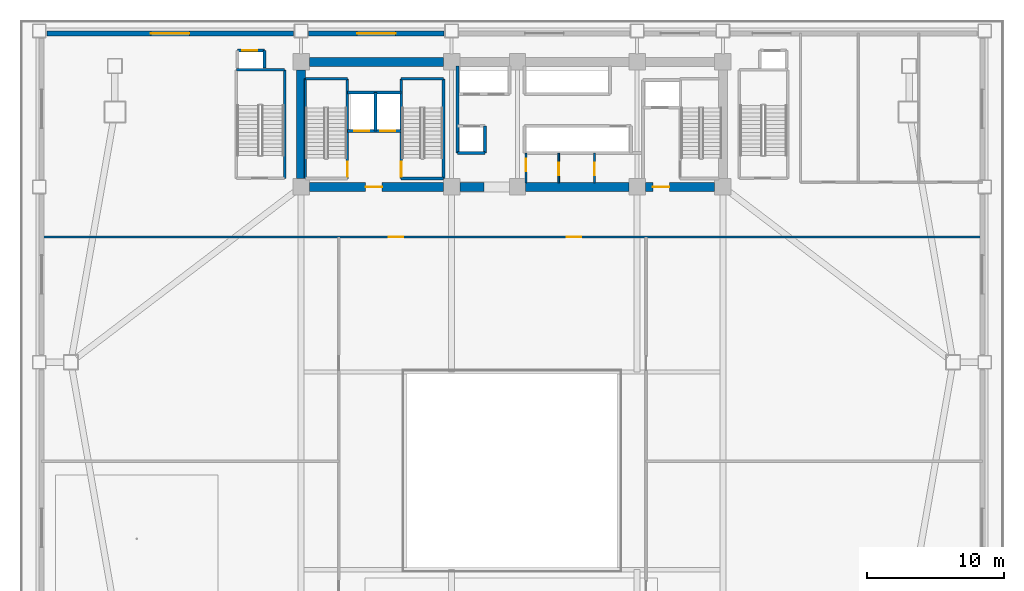
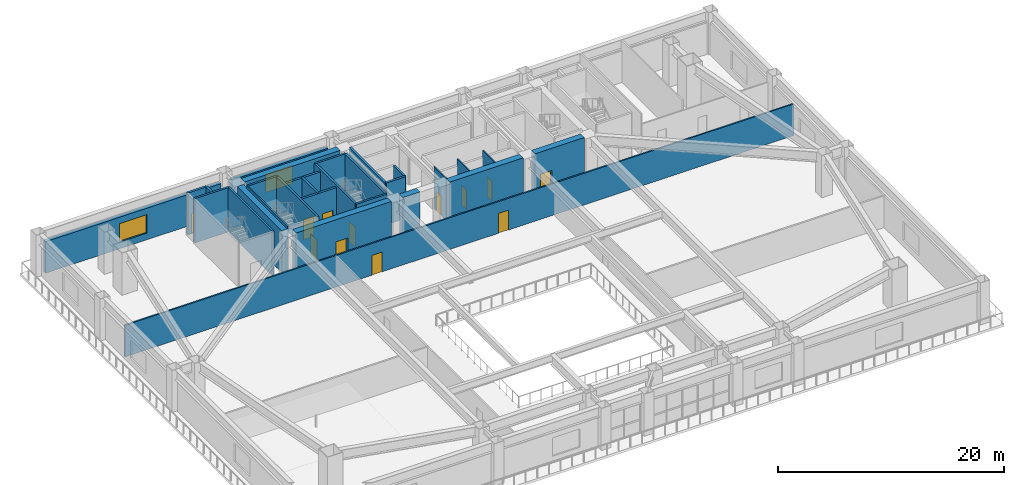
# One storey, part 7 of 14: 29 walls, 12 doors, 2 windows, 14 openings.
"""IFC4 building model written with IfcOpenShell, lengths in metres."""

from ifc_helpers import new_model, si_unit, direction, frame, frame_2d, origin, place, context, subcontext, project, spatial, rectangle, extrude, source, transform, mapped, material, layer, layer_set, type_object, element, fill, save


model = new_model("IFC4")

# Units and contexts
model_context = context("Model", 3, precision=1e-05, world=origin(), true_north=direction((0.0, 1.0)))
body_context = subcontext(model_context, "Body", "Model", "MODEL_VIEW")
ifc_project = project(units=[si_unit("LENGTHUNIT", "METRE"), si_unit("AREAUNIT", "SQUARE_METRE"), si_unit("VOLUMEUNIT", "CUBIC_METRE"), si_unit("PLANEANGLEUNIT", "RADIAN"), si_unit("MASSUNIT", "GRAM", prefix="KILO")], contexts=[model_context])

# Site, building, storey
site_placement = place(None, origin())
site = spatial("IfcSite", under=ifc_project, at=site_placement, CompositionType="ELEMENT")
building_placement = place(site_placement, origin())
building = spatial("IfcBuilding", under=site, at=building_placement, Name="Giltprow Tower", CompositionType="ELEMENT")
storey_placement = place(building_placement, frame((0.0, 0.0, 5.60009765625)))
storey = spatial("IfcBuildingStorey", under=building, at=storey_placement, Name="L02", CompositionType="ELEMENT", Elevation=5.60009765625)

# Wall, opening, window
ifc_material_1 = material(Name="Precast concrete C40", Category="concrete")
ifc_layer_1 = layer(ifc_material_1, 0.360107421875, Name="Precast concrete C40")
ifc_layer_set_1 = layer_set([ifc_layer_1], Name="Precast concrete C40")
wall_type_1 = type_object("IfcWallType", Name="EW-POD-STONE-360", PredefinedType="SOLIDWALL", material=ifc_layer_set_1)
wall_1_placement = place(storey_placement, frame((1.35009765625, 48.6201171875, 0.0), z_axis=(0.0, 0.0, 1.0), x_axis=(1.0, 0.0, 0.0)))
wall_1 = element("IfcWall", 1, at=wall_1_placement, inside=storey, type_object=wall_type_1, Name="L02 North Podium Masonry Wall 1", PredefinedType="SOLIDWALL", context=body_context, shape_type="SweptSolid", body=[
    extrude(rectangle(XDim=17.949951171875, YDim=0.360107421875, at=frame_2d((8.97509765625, 0.0))), origin(), (0.0, 0.0, 1.0), 3.419921875),
])
opening_1_placement = place(wall_1_placement, frame((7.574951171875, 0.0, 0.719970703125)))
opening_1 = element("IfcOpeningElement", 2, at=opening_1_placement, cuts=wall_1, Name="Opening WN31", PredefinedType="OPENING", context=body_context, shape_type="SweptSolid", body=[
    extrude(rectangle(XDim=2.800048828125, YDim=2.0, at=frame_2d((1.39990234375, 1.0))), frame((0.0, 0.18994140625, 0.0), z_axis=(0.0, -1.0, 0.0), x_axis=(1.0, 0.0, 0.0)), (0.0, 0.0, 1.0), 0.380126953125),
])
ifc_material_2 = material(Name="Insulated glass", Category="glass")
window_type = type_object("IfcWindowType", Name="WN-POD-2800x2000", PartitioningType="SINGLE_PANEL", PredefinedType="WINDOW", material=ifc_material_2)
shared_shape_1 = source(origin(), body_context, "Body", "SweptSolid", [
    extrude(rectangle(XDim=2.800048828125, YDim=2.0, at=frame_2d((1.39990234375, 1.0))), frame((0.0, 0.030029296875, 0.0), z_axis=(0.0, -1.0, 0.0), x_axis=(1.0, 0.0, 0.0)), (0.0, 0.0, 1.0), 0.06005859375),
])
window_1_placement = place(opening_1_placement, origin())
window_1 = element("IfcWindow", 3, at=window_1_placement, inside=storey, type_object=window_type, Name="L02 Podium North Window 1", OverallHeight=2.0, OverallWidth=2.800048828125, PartitioningType="SINGLE_PANEL", PredefinedType="WINDOW", context=body_context, shape_type="MappedRepresentation", body=[
    mapped(shared_shape_1, transform((0.0, 0.0, 0.0), x_axis=(1.0, 0.0, 0.0), y_axis=(0.0, 1.0, 0.0), z_axis=(0.0, 0.0, 1.0), scale=1.0)),
])
fill(opening_1, window_1)

wall_2_placement = place(storey_placement, frame((20.39990234375, 48.6201171875, 0.0), z_axis=(0.0, 0.0, 1.0), x_axis=(1.0, 0.0, 0.0)))
wall_2 = element("IfcWall", 4, at=wall_2_placement, inside=storey, type_object=wall_type_1, Name="L02 North Podium Masonry Wall 2", PredefinedType="SOLIDWALL", context=body_context, shape_type="SweptSolid", body=[
    extrude(rectangle(XDim=9.85009765625, YDim=0.360107421875, at=frame_2d((4.925048828125, 0.0))), origin(), (0.0, 0.0, 1.0), 3.419921875),
])
opening_2_placement = place(wall_2_placement, frame((3.52490234375, 0.0, 0.719970703125)))
opening_2 = element("IfcOpeningElement", 5, at=opening_2_placement, cuts=wall_2, Name="Opening WN31", PredefinedType="OPENING", context=body_context, shape_type="SweptSolid", body=[
    extrude(rectangle(XDim=2.800048828125, YDim=2.0, at=frame_2d((1.39990234375, 1.0))), frame((0.0, 0.18994140625, 0.0), z_axis=(0.0, -1.0, 0.0), x_axis=(1.0, 0.0, 0.0)), (0.0, 0.0, 1.0), 0.380126953125),
])
window_2_placement = place(opening_2_placement, origin())
window_2 = element("IfcWindow", 6, at=window_2_placement, inside=storey, type_object=window_type, Name="L02 Podium North Window 2", OverallHeight=2.0, OverallWidth=2.800048828125, PartitioningType="SINGLE_PANEL", PredefinedType="WINDOW", context=body_context, shape_type="MappedRepresentation", body=[
    mapped(shared_shape_1, transform((0.0, 0.0, 0.0), x_axis=(1.0, 0.0, 0.0), y_axis=(0.0, 1.0, 0.0), z_axis=(0.0, 0.0, 1.0), scale=1.0)),
])
fill(opening_2, window_2)

# Wall, openings, doors
ifc_material_3 = material(Name="Gypsum stud partition", Category="gypsum")
ifc_layer_2 = layer(ifc_material_3, 0.14990234375, Name="Gypsum stud partition")
ifc_layer_set_2 = layer_set([ifc_layer_2], Name="Gypsum stud partition")
wall_type_2 = type_object("IfcWallType", Name="IW-CORR-150", PredefinedType="PARTITIONING", material=ifc_layer_set_2)
wall_3_placement = place(storey_placement, frame((0.97998046875, 33.800048828125, 0.0), z_axis=(0.0, 0.0, 1.0), x_axis=(1.0, 0.0, 0.0)))
wall_3 = element("IfcWall", 7, at=wall_3_placement, inside=storey, type_object=wall_type_2, Name="L02 Podium North Concourse Wall", PredefinedType="PARTITIONING", context=body_context, shape_type="SweptSolid", body=[
    extrude(rectangle(XDim=68.43994140625, YDim=0.14990234375, at=frame_2d((34.219970703125, 0.0))), origin(), (0.0, 0.0, 1.0), 3.4248046875),
])
opening_3_placement = place(wall_3_placement, frame((25.27001953125, 0.0, 0.0)))
opening_3 = element("IfcOpeningElement", 8, at=opening_3_placement, cuts=wall_3, Name="Opening ID31", PredefinedType="OPENING", context=body_context, shape_type="SweptSolid", body=[
    extrude(rectangle(XDim=1.050048828125, YDim=2.14990234375, at=frame_2d((0.52490234375, 1.074951171875))), frame((0.0, 0.0849609375, 0.0), z_axis=(0.0, -1.0, 0.0), x_axis=(1.0, 0.0, 0.0)), (0.0, 0.0, 1.0), 0.169921875),
])
opening_4_placement = place(wall_3_placement, frame((38.219970703125, 0.0, 0.0)))
opening_4 = element("IfcOpeningElement", 9, at=opening_4_placement, cuts=wall_3, Name="Opening ID31", PredefinedType="OPENING", context=body_context, shape_type="SweptSolid", body=[
    extrude(rectangle(XDim=1.050048828125, YDim=2.14990234375, at=frame_2d((0.52490234375, 1.074951171875))), frame((0.0, 0.0849609375, 0.0), z_axis=(0.0, -1.0, 0.0), x_axis=(1.0, 0.0, 0.0)), (0.0, 0.0, 1.0), 0.169921875),
])
ifc_material_4 = material(Name="Engineered timber", Category="wood")
door_type_1 = type_object("IfcDoorType", Name="DR-SUITE-1050", OperationType="SINGLE_SWING_LEFT", PredefinedType="DOOR", material=ifc_material_4)
shared_shape_2 = source(origin(), body_context, "Body", "SweptSolid", [
    extrude(rectangle(XDim=1.050048828125, YDim=2.14990234375, at=frame_2d((0.52490234375, 1.074951171875))), frame((0.0, 0.02490234375, 0.0), z_axis=(0.0, -1.0, 0.0), x_axis=(1.0, 0.0, 0.0)), (0.0, 0.0, 1.0), 0.050048828125),
])
door_1_placement = place(opening_3_placement, origin())
door_1 = element("IfcDoor", 10, at=door_1_placement, inside=storey, type_object=door_type_1, Name="L02 Atrium Concourse North-West Fire Door", OperationType="SINGLE_SWING_LEFT", OverallHeight=2.14990234375, OverallWidth=1.050048828125, PredefinedType="DOOR", context=body_context, shape_type="MappedRepresentation", body=[
    mapped(shared_shape_2, transform((0.0, 0.0, 0.0), x_axis=(1.0, 0.0, 0.0), y_axis=(0.0, 1.0, 0.0), z_axis=(0.0, 0.0, 1.0), scale=1.0)),
])
fill(opening_3, door_1)
door_2_placement = place(opening_4_placement, origin())
door_2 = element("IfcDoor", 11, at=door_2_placement, inside=storey, type_object=door_type_1, Name="L02 Atrium Concourse North-East Fire Door", OperationType="SINGLE_SWING_RIGHT", OverallHeight=2.14990234375, OverallWidth=1.050048828125, PredefinedType="DOOR", context=body_context, shape_type="MappedRepresentation", body=[
    mapped(shared_shape_2, transform((0.0, 0.0, 0.0), x_axis=(1.0, 0.0, 0.0), y_axis=(0.0, 1.0, 0.0), z_axis=(0.0, 0.0, 1.0), scale=1.0)),
])
fill(opening_4, door_2)

ifc_material_5 = material(Name="Concrete C40", Category="concrete")
ifc_layer_3 = layer(ifc_material_5, 0.219970703125, Name="Concrete C40")
ifc_layer_set_3 = layer_set([ifc_layer_3], Name="Concrete C40")
wall_type_3 = type_object("IfcWallType", Name="IW-SHAFT-220", PredefinedType="SOLIDWALL", material=ifc_layer_set_3)
wall_4_placement = place(storey_placement, frame((23.219970703125, 41.52001953125, 0.0), z_axis=(0.0, 0.0, 1.0), x_axis=(1.0, 0.0, 0.0)))
wall_4 = element("IfcWall", 12, at=wall_4_placement, inside=storey, type_object=wall_type_3, Name="L02 FFL1 and Service Lift Front Wall", PredefinedType="SOLIDWALL", context=body_context, shape_type="SweptSolid", body=[
    extrude(rectangle(XDim=3.919921875, YDim=0.219970703125, at=frame_2d((1.9599609375, 0.0))), origin(), (0.0, 0.0, 1.0), 4.539794921875),
])
opening_5_placement = place(wall_4_placement, frame((0.5, 0.0, 0.0)))
opening_5 = element("IfcOpeningElement", 13, at=opening_5_placement, cuts=wall_4, Name="Opening LD-11", PredefinedType="OPENING", context=body_context, shape_type="SweptSolid", body=[
    extrude(rectangle(XDim=1.10009765625, YDim=2.199951171875, at=frame_2d((0.550048828125, 1.10009765625))), frame((0.0, 0.119873046875, 0.0), z_axis=(0.0, -1.0, 0.0), x_axis=(1.0, 0.0, 0.0)), (0.0, 0.0, 1.0), 0.239990234375),
])
opening_6_placement = place(wall_4_placement, frame((2.39990234375, 0.0, 0.0)))
opening_6 = element("IfcOpeningElement", 14, at=opening_6_placement, cuts=wall_4, Name="Opening LD-11", PredefinedType="OPENING", context=body_context, shape_type="SweptSolid", body=[
    extrude(rectangle(XDim=1.10009765625, YDim=2.199951171875, at=frame_2d((0.550048828125, 1.10009765625))), frame((0.0, 0.119873046875, 0.0), z_axis=(0.0, -1.0, 0.0), x_axis=(1.0, 0.0, 0.0)), (0.0, 0.0, 1.0), 0.239990234375),
])
ifc_material_6 = material(Name="Stainless steel", Category="steel")
door_type_2 = type_object("IfcDoorType", Name="DR-LIFT-LD1100", OperationType="SLIDING_TO_LEFT", PredefinedType="DOOR", material=ifc_material_6)
shared_shape_3 = source(origin(), body_context, "Body", "SweptSolid", [
    extrude(rectangle(XDim=1.10009765625, YDim=2.199951171875, at=frame_2d((0.550048828125, 1.10009765625))), frame((0.0, 0.02490234375, 0.0), z_axis=(0.0, -1.0, 0.0), x_axis=(1.0, 0.0, 0.0)), (0.0, 0.0, 1.0), 0.050048828125),
])
door_3_placement = place(opening_5_placement, origin())
door_3 = element("IfcDoor", 15, at=door_3_placement, inside=storey, type_object=door_type_2, Name="L02 FFL1 Landing Door", OperationType="SLIDING_TO_LEFT", OverallHeight=2.199951171875, OverallWidth=1.10009765625, PredefinedType="DOOR", context=body_context, shape_type="MappedRepresentation", body=[
    mapped(shared_shape_3, transform((0.0, 0.0, 0.0), x_axis=(1.0, 0.0, 0.0), y_axis=(0.0, 1.0, 0.0), z_axis=(0.0, 0.0, 1.0), scale=1.0)),
])
fill(opening_5, door_3)
door_4_placement = place(opening_6_placement, origin())
door_4 = element("IfcDoor", 16, at=door_4_placement, inside=storey, type_object=door_type_2, Name="L02 SVL1 Landing Door", OperationType="SLIDING_TO_LEFT", OverallHeight=2.199951171875, OverallWidth=1.10009765625, PredefinedType="DOOR", context=body_context, shape_type="MappedRepresentation", body=[
    mapped(shared_shape_3, transform((0.0, 0.0, 0.0), x_axis=(1.0, 0.0, 0.0), y_axis=(0.0, 1.0, 0.0), z_axis=(0.0, 0.0, 1.0), scale=1.0)),
])
fill(opening_6, door_4)

# Walls
wall_5_placement = place(storey_placement, frame((25.260009765625, 41.52001953125, 0.0), z_axis=(0.0, 0.0, 1.0), x_axis=(0.0, 1.0, 0.0)))
element("IfcWall", 17, at=wall_5_placement, inside=storey, type_object=wall_type_3, Name="L02 FFL1-SVL1 Shaft Divider", PredefinedType="SOLIDWALL", context=body_context, shape_type="SweptSolid", body=[
    extrude(rectangle(XDim=2.800048828125, YDim=0.219970703125, at=frame_2d((1.39990234375, 0.0))), origin(), (0.0, 0.0, 1.0), 4.539794921875),
])
wall_6_placement = place(storey_placement, frame((23.219970703125, 44.320068359375, 0.0), z_axis=(0.0, 0.0, 1.0), x_axis=(1.0, 0.0, 0.0)))
element("IfcWall", 18, at=wall_6_placement, inside=storey, type_object=wall_type_3, Name="L02 FFL1-SVL1 Back Shaft Wall", PredefinedType="SOLIDWALL", context=body_context, shape_type="SweptSolid", body=[
    extrude(rectangle(XDim=3.919921875, YDim=0.219970703125, at=frame_2d((1.9599609375, 0.0))), origin(), (0.0, 0.0, 1.0), 4.539794921875),
])

# Wall, opening, door
wall_7_placement = place(storey_placement, frame((15.22998046875, 47.3798828125, 0.0), z_axis=(0.0, 0.0, 1.0), x_axis=(1.0, 0.0, 0.0)))
wall_7 = element("IfcWall", 19, at=wall_7_placement, inside=storey, type_object=wall_type_3, Name="L02 PL-P1 Front Wall", PredefinedType="SOLIDWALL", context=body_context, shape_type="SweptSolid", body=[
    extrude(rectangle(XDim=1.9599609375, YDim=0.219970703125, at=frame_2d((0.97998046875, 0.0))), origin(), (0.0, 0.0, 1.0), 4.539794921875),
])
opening_7_placement = place(wall_7_placement, frame((0.35009765625, 0.0, 0.0)))
opening_7 = element("IfcOpeningElement", 20, at=opening_7_placement, cuts=wall_7, Name="Opening LD-11", PredefinedType="OPENING", context=body_context, shape_type="SweptSolid", body=[
    extrude(rectangle(XDim=1.10009765625, YDim=2.199951171875, at=frame_2d((0.550048828125, 1.10009765625))), frame((0.0, 0.119873046875, 0.0), z_axis=(0.0, -1.0, 0.0), x_axis=(1.0, 0.0, 0.0)), (0.0, 0.0, 1.0), 0.239990234375),
])
door_5_placement = place(opening_7_placement, origin())
door_5 = element("IfcDoor", 21, at=door_5_placement, inside=storey, type_object=door_type_2, Name="L02 PL-P1 Landing Door", OperationType="SLIDING_TO_LEFT", OverallHeight=2.199951171875, OverallWidth=1.10009765625, PredefinedType="DOOR", context=body_context, shape_type="MappedRepresentation", body=[
    mapped(shared_shape_3, transform((0.0, 0.0, 0.0), x_axis=(1.0, 0.0, 0.0), y_axis=(0.0, 1.0, 0.0), z_axis=(0.0, 0.0, 1.0), scale=1.0)),
])
fill(opening_7, door_5)

# Walls
wall_8_placement = place(storey_placement, frame((17.18994140625, 46.090087890625, 0.0), z_axis=(0.0, 0.0, 1.0), x_axis=(0.0, 1.0, 0.0)))
element("IfcWall", 22, at=wall_8_placement, inside=storey, type_object=wall_type_3, Name="L02 PL-P1 East Shaft Wall", PredefinedType="SOLIDWALL", context=body_context, shape_type="SweptSolid", body=[
    extrude(rectangle(XDim=1.289794921875, YDim=0.219970703125, at=frame_2d((0.64501953125, 0.0))), origin(), (0.0, 0.0, 1.0), 4.539794921875),
])
wall_9_placement = place(storey_placement, frame((31.25, 39.919921875, 0.0), z_axis=(0.0, 0.0, 1.0), x_axis=(1.0, 0.0, 0.0)))
element("IfcWall", 23, at=wall_9_placement, inside=storey, type_object=wall_type_3, Name="L02 Low-Rise South Lift Back Wall", PredefinedType="SOLIDWALL", context=body_context, shape_type="SweptSolid", body=[
    extrude(rectangle(XDim=1.969970703125, YDim=0.219970703125, at=frame_2d((0.98486328125, 0.0))), origin(), (0.0, 0.0, 1.0), 4.539794921875),
])
wall_10_placement = place(storey_placement, frame((33.219970703125, 39.919921875, 0.0), z_axis=(0.0, 0.0, 1.0), x_axis=(0.0, 1.0, 0.0)))
element("IfcWall", 24, at=wall_10_placement, inside=storey, type_object=wall_type_3, Name="L02 Low-Rise South Lift East Closure", PredefinedType="SOLIDWALL", context=body_context, shape_type="SweptSolid", body=[
    extrude(rectangle(XDim=1.9599609375, YDim=0.219970703125, at=frame_2d((0.97998046875, 0.0))), origin(), (0.0, 0.0, 1.0), 4.539794921875),
])
wall_11_placement = place(storey_placement, frame((31.25, 39.919921875, 0.0), z_axis=(0.0, 0.0, 1.0), x_axis=(0.0, 1.0, 0.0)))
element("IfcWall", 25, at=wall_11_placement, inside=storey, type_object=wall_type_3, Name="L02 Lift Bank West Closure", PredefinedType="SOLIDWALL", context=body_context, shape_type="SweptSolid", body=[
    extrude(rectangle(XDim=6.3251953125, YDim=0.219970703125, at=frame_2d((3.16259765625, 0.0))), origin(), (0.0, 0.0, 1.0), 4.539794921875),
])
ifc_material_7 = material(Name="Concrete C45", Category="concrete")
ifc_layer_4 = layer(ifc_material_7, 0.139892578125, Name="Concrete C45")
ifc_layer_set_4 = layer_set([ifc_layer_4], Name="Concrete C45")
wall_type_4 = type_object("IfcWallType", Name="IW-STAIR-140", PredefinedType="SOLIDWALL", material=ifc_layer_set_4)
wall_12_placement = place(storey_placement, frame((20.169921875, 38.070068359375, 0.0), z_axis=(0.0, 0.0, 1.0), x_axis=(0.0, 1.0, 0.0)))
element("IfcWall", 26, at=wall_12_placement, inside=storey, type_object=wall_type_4, Name="L02 Stair ST-1 West Bearing Wall", PredefinedType="SOLIDWALL", context=body_context, shape_type="SweptSolid", body=[
    extrude(rectangle(XDim=7.25, YDim=0.139892578125, at=frame_2d((3.625, 0.0))), origin(), (0.0, 0.0, 1.0), 4.7998046875),
])

# Wall, opening, door
ifc_layer_5 = layer(ifc_material_5, 0.199951171875, Name="Concrete C40")
ifc_layer_set_5 = layer_set([ifc_layer_5], Name="Concrete C40")
wall_type_5 = type_object("IfcWallType", Name="IW-STAIR-200", PredefinedType="SOLIDWALL", material=ifc_layer_set_5)
wall_13_placement = place(storey_placement, frame((23.219970703125, 38.070068359375, 0.0), z_axis=(0.0, 0.0, 1.0), x_axis=(0.0, 1.0, 0.0)))
wall_13 = element("IfcWall", 27, at=wall_13_placement, inside=storey, type_object=wall_type_5, Name="L02 Stair ST-1 East Bearing Wall", PredefinedType="SOLIDWALL", context=body_context, shape_type="SweptSolid", body=[
    extrude(rectangle(XDim=7.25, YDim=0.199951171875, at=frame_2d((3.625, 0.0))), origin(), (0.0, 0.0, 1.0), 4.7998046875),
])
opening_8_placement = place(wall_13_placement, frame((0.110107421875, 0.0, 0.0)))
opening_8 = element("IfcOpeningElement", 28, at=opening_8_placement, cuts=wall_13, Name="Opening ID33", PredefinedType="OPENING", context=body_context, shape_type="SweptSolid", body=[
    extrude(rectangle(XDim=1.10009765625, YDim=2.14990234375, at=frame_2d((0.550048828125, 1.074951171875))), frame((0.0, 0.10986328125, 0.0), z_axis=(0.0, -1.0, 0.0), x_axis=(1.0, 0.0, 0.0)), (0.0, 0.0, 1.0), 0.219970703125),
])
ifc_material_8 = material(Name="Steel fire leaf", Category="steel")
door_type_3 = type_object("IfcDoorType", Name="DR-STAIR-1100", OperationType="SINGLE_SWING_LEFT", PredefinedType="DOOR", material=ifc_material_8)
shared_shape_4 = source(origin(), body_context, "Body", "SweptSolid", [
    extrude(rectangle(XDim=1.10009765625, YDim=2.14990234375, at=frame_2d((0.550048828125, 1.074951171875))), frame((0.0, 0.02490234375, 0.0), z_axis=(0.0, -1.0, 0.0), x_axis=(1.0, 0.0, 0.0)), (0.0, 0.0, 1.0), 0.050048828125),
])
door_6_placement = place(opening_8_placement, origin())
door_6 = element("IfcDoor", 29, at=door_6_placement, inside=storey, type_object=door_type_3, Name="L02 Stair ST-1 Fire Door", OperationType="SINGLE_SWING_LEFT", OverallHeight=2.14990234375, OverallWidth=1.10009765625, PredefinedType="DOOR", context=body_context, shape_type="MappedRepresentation", body=[
    mapped(shared_shape_4, transform((0.0, 0.0, 0.0), x_axis=(1.0, 0.0, 0.0), y_axis=(0.0, 1.0, 0.0), z_axis=(0.0, 0.0, 1.0), scale=1.0)),
])
fill(opening_8, door_6)

# Wall
wall_14_placement = place(storey_placement, frame((20.169921875, 45.320068359375, 0.0), z_axis=(0.0, 0.0, 1.0), x_axis=(1.0, 0.0, 0.0)))
element("IfcWall", 30, at=wall_14_placement, inside=storey, type_object=wall_type_5, Name="L02 Stair ST-1 North Bearing Wall", PredefinedType="SOLIDWALL", context=body_context, shape_type="SweptSolid", body=[
    extrude(rectangle(XDim=3.050048828125, YDim=0.199951171875, at=frame_2d((1.52490234375, 0.0))), origin(), (0.0, 0.0, 1.0), 4.7998046875),
])

# Wall, opening, door
wall_15_placement = place(storey_placement, frame((27.139892578125, 38.070068359375, 0.0), z_axis=(0.0, 0.0, 1.0), x_axis=(0.0, 1.0, 0.0)))
wall_15 = element("IfcWall", 31, at=wall_15_placement, inside=storey, type_object=wall_type_5, Name="L02 Stair ST-2 West Bearing Wall", PredefinedType="SOLIDWALL", context=body_context, shape_type="SweptSolid", body=[
    extrude(rectangle(XDim=7.25, YDim=0.199951171875, at=frame_2d((3.625, 0.0))), origin(), (0.0, 0.0, 1.0), 4.7998046875),
])
opening_9_placement = place(wall_15_placement, frame((0.110107421875, 0.0, 0.0)))
opening_9 = element("IfcOpeningElement", 32, at=opening_9_placement, cuts=wall_15, Name="Opening ID33", PredefinedType="OPENING", context=body_context, shape_type="SweptSolid", body=[
    extrude(rectangle(XDim=1.10009765625, YDim=2.14990234375, at=frame_2d((0.550048828125, 1.074951171875))), frame((0.0, 0.10986328125, 0.0), z_axis=(0.0, -1.0, 0.0), x_axis=(1.0, 0.0, 0.0)), (0.0, 0.0, 1.0), 0.219970703125),
])
door_7_placement = place(opening_9_placement, origin())
door_7 = element("IfcDoor", 33, at=door_7_placement, inside=storey, type_object=door_type_3, Name="L02 Stair ST-2 Fire Door", OperationType="SINGLE_SWING_RIGHT", OverallHeight=2.14990234375, OverallWidth=1.10009765625, PredefinedType="DOOR", context=body_context, shape_type="MappedRepresentation", body=[
    mapped(shared_shape_4, transform((0.0, 0.0, 0.0), x_axis=(1.0, 0.0, 0.0), y_axis=(0.0, 1.0, 0.0), z_axis=(0.0, 0.0, 1.0), scale=1.0)),
])
fill(opening_9, door_7)

# Walls
wall_16_placement = place(storey_placement, frame((30.219970703125, 38.070068359375, 0.0), z_axis=(0.0, 0.0, 1.0), x_axis=(0.0, 1.0, 0.0)))
element("IfcWall", 34, at=wall_16_placement, inside=storey, type_object=wall_type_5, Name="L02 Stair ST-2 East Bearing Wall", PredefinedType="SOLIDWALL", context=body_context, shape_type="SweptSolid", body=[
    extrude(rectangle(XDim=7.25, YDim=0.199951171875, at=frame_2d((3.625, 0.0))), origin(), (0.0, 0.0, 1.0), 4.7998046875),
])
for number, where, z_axis, x_axis, name in (
    (35, (27.139892578125, 45.320068359375, 0.0), (0.0, 0.0, 1.0), (1.0, 0.0, 0.0), "L02 Stair ST-2 North Bearing Wall"),
    (36, (27.139892578125, 38.070068359375, 0.0), (0.0, 0.0, 1.0), (1.0, 0.0, 0.0), "L02 Stair ST-2 South Bearing Wall"),
):
    element("IfcWall", number, at=place(storey_placement, frame(where, z_axis=z_axis, x_axis=x_axis)), inside=storey, type_object=wall_type_5, Name=name, PredefinedType="SOLIDWALL", context=body_context, shape_type="SweptSolid", body=[
        extrude(rectangle(XDim=3.080078125, YDim=0.199951171875, at=frame_2d((1.5400390625, 0.0))), origin(), (0.0, 0.0, 1.0), 4.7998046875),
    ])
wall_17_placement = place(storey_placement, frame((18.659912109375, 38.080078125, 0.0), z_axis=(0.0, 0.0, 1.0), x_axis=(0.0, 1.0, 0.0)))
element("IfcWall", 37, at=wall_17_placement, inside=storey, type_object=wall_type_5, Name="L02 Podium Stair ST-P1 East Bearing Wall", PredefinedType="SOLIDWALL", context=body_context, shape_type="SweptSolid", body=[
    extrude(rectangle(XDim=7.89990234375, YDim=0.199951171875, at=frame_2d((3.949951171875, 0.0))), origin(), (0.0, 0.0, 1.0), 4.7998046875),
])
wall_18_placement = place(storey_placement, frame((15.139892578125, 45.97998046875, 0.0), z_axis=(0.0, 0.0, 1.0), x_axis=(1.0, 0.0, 0.0)))
element("IfcWall", 38, at=wall_18_placement, inside=storey, type_object=wall_type_5, Name="L02 Podium Stair ST-P1 North Bearing Wall", PredefinedType="SOLIDWALL", context=body_context, shape_type="SweptSolid", body=[
    extrude(rectangle(XDim=3.52001953125, YDim=0.199951171875, at=frame_2d((1.760009765625, 0.0))), origin(), (0.0, 0.0, 1.0), 4.7998046875),
])

# Wall, opening, door
ifc_material_9 = material(Name="Concrete C30", Category="concrete")
ifc_layer_6 = layer(ifc_material_9, 0.1298828125, Name="Concrete C30")
ifc_layer_set_6 = layer_set([ifc_layer_6], Name="Concrete C30")
wall_type_6 = type_object("IfcWallType", Name="IW-WET-130", PredefinedType="PARTITIONING", material=ifc_layer_set_6)
wall_19_placement = place(storey_placement, frame((36.219970703125, 37.7548828125, 0.0), z_axis=(0.0, 0.0, 1.0), x_axis=(0.0, 1.0, 0.0)))
wall_19 = element("IfcWall", 39, at=wall_19_placement, inside=storey, type_object=wall_type_6, Name="L02 Core Suite West Wall", PredefinedType="PARTITIONING", context=body_context, shape_type="SweptSolid", body=[
    extrude(rectangle(XDim=2.1650390625, YDim=0.1298828125, at=frame_2d((1.08251953125, 0.0))), origin(), (0.0, 0.0, 1.0), 4.539794921875),
])
opening_10_placement = place(wall_19_placement, frame((0.85498046875, 0.0, 0.0)))
opening_10 = element("IfcOpeningElement", 40, at=opening_10_placement, cuts=wall_19, Name="Opening ID35", PredefinedType="OPENING", context=body_context, shape_type="SweptSolid", body=[
    extrude(rectangle(XDim=0.89990234375, YDim=2.10009765625, at=frame_2d((0.449951171875, 1.050048828125))), frame((0.0, 0.074951171875, 0.0), z_axis=(0.0, -1.0, 0.0), x_axis=(1.0, 0.0, 0.0)), (0.0, 0.0, 1.0), 0.14990234375),
])
door_type_4 = type_object("IfcDoorType", Name="DR-SHAFT-900", OperationType="SINGLE_SWING_LEFT", PredefinedType="DOOR", material=ifc_material_8)
shared_shape_5 = source(origin(), body_context, "Body", "SweptSolid", [
    extrude(rectangle(XDim=0.89990234375, YDim=2.10009765625, at=frame_2d((0.449951171875, 1.050048828125))), frame((0.0, 0.02490234375, 0.0), z_axis=(0.0, -1.0, 0.0), x_axis=(1.0, 0.0, 0.0)), (0.0, 0.0, 1.0), 0.050048828125),
])
door_8_placement = place(opening_10_placement, origin())
door_8 = element("IfcDoor", 41, at=door_8_placement, inside=storey, type_object=door_type_4, Name="L02 Core Washroom 1 Door", OperationType="SINGLE_SWING_RIGHT", OverallHeight=2.10009765625, OverallWidth=0.89990234375, PredefinedType="DOOR", context=body_context, shape_type="MappedRepresentation", body=[
    mapped(shared_shape_5, transform((0.0, 0.0, 0.0), x_axis=(1.0, 0.0, 0.0), y_axis=(0.0, 1.0, 0.0), z_axis=(0.0, 0.0, 1.0), scale=1.0)),
])
fill(opening_10, door_8)

wall_20_placement = place(storey_placement, frame((38.60009765625, 37.7548828125, 0.0), z_axis=(0.0, 0.0, 1.0), x_axis=(0.0, 1.0, 0.0)))
wall_20 = element("IfcWall", 42, at=wall_20_placement, inside=storey, type_object=wall_type_6, Name="L02 Core Suite Divider 1", PredefinedType="PARTITIONING", context=body_context, shape_type="SweptSolid", body=[
    extrude(rectangle(XDim=2.1650390625, YDim=0.1298828125, at=frame_2d((1.08251953125, 0.0))), origin(), (0.0, 0.0, 1.0), 4.539794921875),
])
opening_11_placement = place(wall_20_placement, frame((0.56494140625, 0.0, 0.0)))
opening_11 = element("IfcOpeningElement", 43, at=opening_11_placement, cuts=wall_20, Name="Opening ID35", PredefinedType="OPENING", context=body_context, shape_type="SweptSolid", body=[
    extrude(rectangle(XDim=0.89990234375, YDim=2.10009765625, at=frame_2d((0.449951171875, 1.050048828125))), frame((0.0, 0.074951171875, 0.0), z_axis=(0.0, -1.0, 0.0), x_axis=(1.0, 0.0, 0.0)), (0.0, 0.0, 1.0), 0.14990234375),
])
door_9_placement = place(opening_11_placement, origin())
door_9 = element("IfcDoor", 44, at=door_9_placement, inside=storey, type_object=door_type_4, Name="L02 Core Stationery Room Door", OperationType="SINGLE_SWING_LEFT", OverallHeight=2.10009765625, OverallWidth=0.89990234375, PredefinedType="DOOR", context=body_context, shape_type="MappedRepresentation", body=[
    mapped(shared_shape_5, transform((0.0, 0.0, 0.0), x_axis=(1.0, 0.0, 0.0), y_axis=(0.0, 1.0, 0.0), z_axis=(0.0, 0.0, 1.0), scale=1.0)),
])
fill(opening_11, door_9)

wall_21_placement = place(storey_placement, frame((41.199951171875, 37.7548828125, 0.0), z_axis=(0.0, 0.0, 1.0), x_axis=(0.0, 1.0, 0.0)))
wall_21 = element("IfcWall", 45, at=wall_21_placement, inside=storey, type_object=wall_type_6, Name="L02 Core Suite Divider 2", PredefinedType="PARTITIONING", context=body_context, shape_type="SweptSolid", body=[
    extrude(rectangle(XDim=2.1650390625, YDim=0.1298828125, at=frame_2d((1.08251953125, 0.0))), origin(), (0.0, 0.0, 1.0), 4.539794921875),
])
opening_12_placement = place(wall_21_placement, frame((0.56494140625, 0.0, 0.0)))
opening_12 = element("IfcOpeningElement", 46, at=opening_12_placement, cuts=wall_21, Name="Opening ID35", PredefinedType="OPENING", context=body_context, shape_type="SweptSolid", body=[
    extrude(rectangle(XDim=0.89990234375, YDim=2.10009765625, at=frame_2d((0.449951171875, 1.050048828125))), frame((0.0, 0.074951171875, 0.0), z_axis=(0.0, -1.0, 0.0), x_axis=(1.0, 0.0, 0.0)), (0.0, 0.0, 1.0), 0.14990234375),
])
door_10_placement = place(opening_12_placement, origin())
door_10 = element("IfcDoor", 47, at=door_10_placement, inside=storey, type_object=door_type_4, Name="L02 Core Archive Room Door", OperationType="SINGLE_SWING_RIGHT", OverallHeight=2.10009765625, OverallWidth=0.89990234375, PredefinedType="DOOR", context=body_context, shape_type="MappedRepresentation", body=[
    mapped(shared_shape_5, transform((0.0, 0.0, 0.0), x_axis=(1.0, 0.0, 0.0), y_axis=(0.0, 1.0, 0.0), z_axis=(0.0, 0.0, 1.0), scale=1.0)),
])
fill(opening_12, door_10)

# Wall
ifc_material_10 = material(Name="Concrete C60", Category="concrete")
ifc_layer_7 = layer(ifc_material_10, 0.64990234375, Name="Concrete C60")
ifc_layer_set_7 = layer_set([ifc_layer_7], Name="Concrete C60")
wall_type_7 = type_object("IfcWallType", Name="SW-INT-650-C60", PredefinedType="SHEAR", material=ifc_layer_set_7)
wall_22_placement = place(storey_placement, frame((20.449951171875, 46.550048828125, 0.0), z_axis=(0.0, 0.0, 1.0), x_axis=(1.0, 0.0, 0.0)))
element("IfcWall", 48, at=wall_22_placement, inside=storey, type_object=wall_type_7, Name="L02 North Rear Core Shear Wall 1", PredefinedType="SHEAR", context=body_context, shape_type="SweptSolid", body=[
    extrude(rectangle(XDim=9.75, YDim=0.64990234375, at=frame_2d((4.875, 0.0))), origin(), (0.0, 0.0, 1.0), 4.539794921875),
])

# Wall, opening, door
wall_23_placement = place(storey_placement, frame((20.449951171875, 37.449951171875, 0.0), z_axis=(0.0, 0.0, 1.0), x_axis=(1.0, 0.0, 0.0)))
wall_23 = element("IfcWall", 49, at=wall_23_placement, inside=storey, type_object=wall_type_7, Name="L02 South Rear Core Shear Wall West", PredefinedType="SHEAR", context=body_context, shape_type="SweptSolid", body=[
    extrude(rectangle(XDim=9.75, YDim=0.64990234375, at=frame_2d((4.875, 0.0))), origin(), (0.0, 0.0, 1.0), 4.539794921875),
])
opening_13_placement = place(wall_23_placement, frame((4.10009765625, 0.0, 0.0)))
opening_13 = element("IfcOpeningElement", 50, at=opening_13_placement, cuts=wall_23, Name="Opening ID19", PredefinedType="OPENING", context=body_context, shape_type="SweptSolid", body=[
    extrude(rectangle(XDim=1.199951171875, YDim=2.14990234375, at=frame_2d((0.60009765625, 1.074951171875))), frame((0.0, 0.3349609375, 0.0), z_axis=(0.0, -1.0, 0.0), x_axis=(1.0, 0.0, 0.0)), (0.0, 0.0, 1.0), 0.669921875),
])
door_type_5 = type_object("IfcDoorType", Name="DR-FFLOBBY-1200", OperationType="SINGLE_SWING_RIGHT", PredefinedType="DOOR", material=ifc_material_8)
shared_shape_6 = source(origin(), body_context, "Body", "SweptSolid", [
    extrude(rectangle(XDim=1.199951171875, YDim=2.14990234375, at=frame_2d((0.60009765625, 1.074951171875))), frame((0.0, 0.02490234375, 0.0), z_axis=(0.0, -1.0, 0.0), x_axis=(1.0, 0.0, 0.0)), (0.0, 0.0, 1.0), 0.050048828125),
])
door_11_placement = place(opening_13_placement, origin())
door_11 = element("IfcDoor", 51, at=door_11_placement, inside=storey, type_object=door_type_5, Name="L02 West Firefighting Lobby Entry Door", OperationType="SINGLE_SWING_RIGHT", OverallHeight=2.14990234375, OverallWidth=1.199951171875, PredefinedType="DOOR", context=body_context, shape_type="MappedRepresentation", body=[
    mapped(shared_shape_6, transform((0.0, 0.0, 0.0), x_axis=(1.0, 0.0, 0.0), y_axis=(0.0, 1.0, 0.0), z_axis=(0.0, 0.0, 1.0), scale=1.0)),
])
fill(opening_13, door_11)

# Walls
wall_24_placement = place(storey_placement, frame((31.39990234375, 37.449951171875, 0.0), z_axis=(0.0, 0.0, 1.0), x_axis=(1.0, 0.0, 0.0)))
element("IfcWall", 52, at=wall_24_placement, inside=storey, type_object=wall_type_7, Name="L02 South Rear Core Shear Wall Mid-West", PredefinedType="SHEAR", context=body_context, shape_type="SweptSolid", body=[
    extrude(rectangle(XDim=1.75, YDim=0.64990234375, at=frame_2d((0.875, 0.0))), origin(), (0.0, 0.0, 1.0), 4.539794921875),
])
wall_25_placement = place(storey_placement, frame((36.199951171875, 37.449951171875, 0.0), z_axis=(0.0, 0.0, 1.0), x_axis=(1.0, 0.0, 0.0)))
element("IfcWall", 53, at=wall_25_placement, inside=storey, type_object=wall_type_7, Name="L02 South Rear Core Shear Wall Mid-East", PredefinedType="SHEAR", context=body_context, shape_type="SweptSolid", body=[
    extrude(rectangle(XDim=7.5, YDim=0.64990234375, at=frame_2d((3.75, 0.0))), origin(), (0.0, 0.0, 1.0), 4.539794921875),
])

# Wall, opening, door
wall_26_placement = place(storey_placement, frame((44.89990234375, 37.449951171875, 0.0), z_axis=(0.0, 0.0, 1.0), x_axis=(1.0, 0.0, 0.0)))
wall_26 = element("IfcWall", 54, at=wall_26_placement, inside=storey, type_object=wall_type_7, Name="L02 South Rear Core Shear Wall East", PredefinedType="SHEAR", context=body_context, shape_type="SweptSolid", body=[
    extrude(rectangle(XDim=5.050048828125, YDim=0.64990234375, at=frame_2d((2.52490234375, 0.0))), origin(), (0.0, 0.0, 1.0), 4.539794921875),
])
opening_14_placement = place(wall_26_placement, frame((0.550048828125, 0.0, 0.0)))
opening_14 = element("IfcOpeningElement", 55, at=opening_14_placement, cuts=wall_26, Name="Opening ID19", PredefinedType="OPENING", context=body_context, shape_type="SweptSolid", body=[
    extrude(rectangle(XDim=1.199951171875, YDim=2.14990234375, at=frame_2d((0.60009765625, 1.074951171875))), frame((0.0, 0.3349609375, 0.0), z_axis=(0.0, -1.0, 0.0), x_axis=(1.0, 0.0, 0.0)), (0.0, 0.0, 1.0), 0.669921875),
])
door_12_placement = place(opening_14_placement, origin())
door_12 = element("IfcDoor", 56, at=door_12_placement, inside=storey, type_object=door_type_5, Name="L02 East Firefighting Lobby Entry Door", OperationType="SINGLE_SWING_RIGHT", OverallHeight=2.14990234375, OverallWidth=1.199951171875, PredefinedType="DOOR", context=body_context, shape_type="MappedRepresentation", body=[
    mapped(shared_shape_6, transform((0.0, 0.0, 0.0), x_axis=(1.0, 0.0, 0.0), y_axis=(0.0, 1.0, 0.0), z_axis=(0.0, 0.0, 1.0), scale=1.0)),
])
fill(opening_14, door_12)

# Wall
wall_27_placement = place(storey_placement, frame((19.85009765625, 38.050048828125, 0.0), z_axis=(0.0, 0.0, 1.0), x_axis=(0.0, 1.0, 0.0)))
element("IfcWall", 57, at=wall_27_placement, inside=storey, type_object=wall_type_7, Name="L02 W Rear Core Shear Wall", PredefinedType="SHEAR", context=body_context, shape_type="SweptSolid", body=[
    extrude(rectangle(XDim=7.89990234375, YDim=0.64990234375, at=frame_2d((3.949951171875, 0.0))), origin(), (0.0, 0.0, 1.0), 4.539794921875),
])

save(model, "model.ifc")
